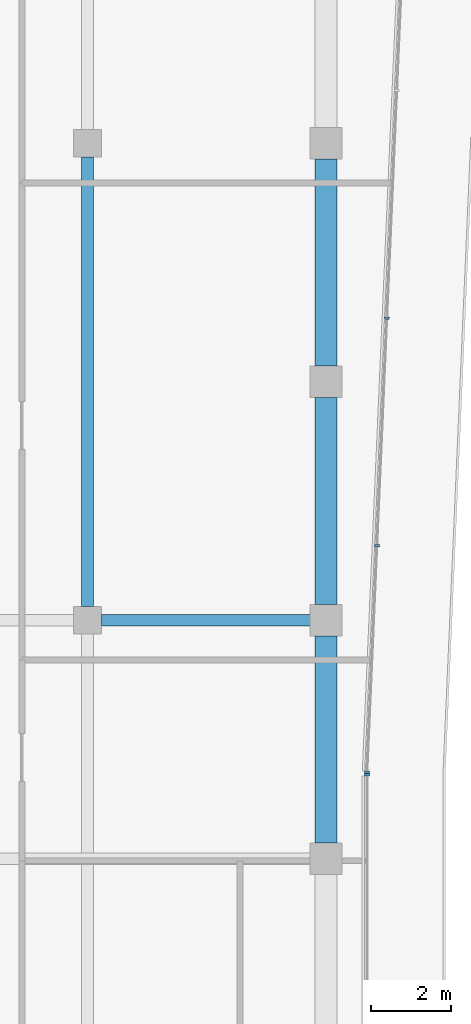
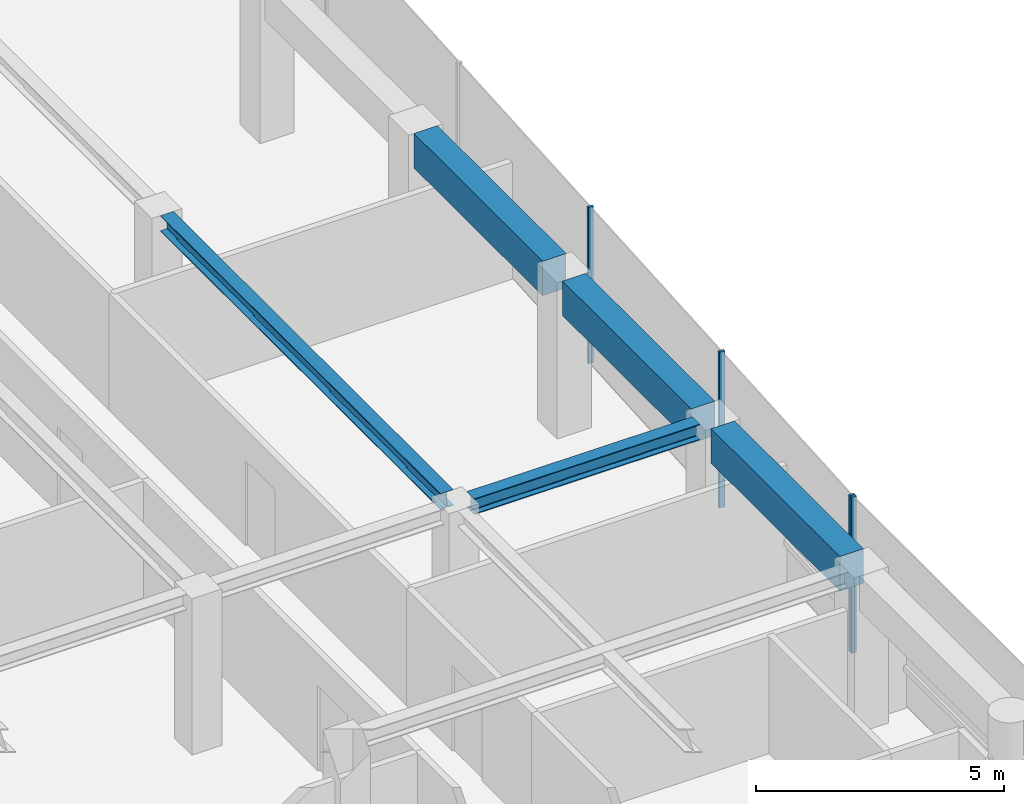
# One storey, part 8 of 20: 5 beams, 4 members, 2 elements without a shape of their own.
"""IFC4 building model written with IfcOpenShell, lengths in metres."""

from ifc_helpers import new_model, si_unit, direction, frame, origin, origin_2d, place, context, subcontext, project, spatial, rectangle, i_section, extrude, material, layer, layer_set, material_profile, profile_set, type_object, element, aggregate, save


model = new_model("IFC4")

# Units and contexts
model_context = context("Model", 3, precision=1e-05, world=origin(), true_north=direction((0.0, 1.0)))
body_context = subcontext(model_context, "Body", "Model", "MODEL_VIEW")
ifc_project = project(units=[si_unit("LENGTHUNIT", "METRE"), si_unit("AREAUNIT", "SQUARE_METRE"), si_unit("VOLUMEUNIT", "CUBIC_METRE"), si_unit("PLANEANGLEUNIT", "RADIAN"), si_unit("MASSUNIT", "GRAM", prefix="KILO")], contexts=[model_context])

# Site, building, storey
site_placement = place(None, origin())
site = spatial("IfcSite", under=ifc_project, at=site_placement, CompositionType="ELEMENT")
building_placement = place(site_placement, origin())
building = spatial("IfcBuilding", under=site, at=building_placement, Name="Welwitschia Terrace Campus", CompositionType="ELEMENT")
storey_placement = place(building_placement, frame((0.0, 0.0, 239.0)))
storey = spatial("IfcBuildingStorey", under=building, at=storey_placement, Name="L53", CompositionType="ELEMENT", Elevation=239.0)

# Beams
ifc_material_1 = material(Name="Steel S355", Category="steel")
ifc_material_profile_1 = material_profile(ifc_material_1, i_section(OverallWidth=0.300048828125, OverallDepth=0.389892578125, WebThickness=0.010986328125, FlangeThickness=0.01904296875, FilletRadius=0.027099609375, at=origin_2d()))
ifc_profile_set_1 = profile_set([ifc_material_profile_1], Name="Steel S355")
beam_type_1 = type_object("IfcBeamType", Name="Interior girder HE 400 A", PredefinedType="BEAM", material=ifc_profile_set_1)
beam_1_placement = place(storey_placement, frame((18.3505859375, 40.0, 3.655029296875), z_axis=(1.0, 0.0, 0.0), x_axis=(0.0, 1.0, 0.0)))
element("IfcBeam", 1, at=beam_1_placement, inside=storey, type_object=beam_type_1, Name="Girder GB5", PredefinedType="BEAM", context=body_context, shape_type="SweptSolid", body=[
    extrude(i_section(OverallWidth=0.300048828125, OverallDepth=0.389892578125, WebThickness=0.010986328125, FlangeThickness=0.01904296875, FilletRadius=0.027099609375, at=origin_2d()), origin(), (0.0, 0.0, 1.0), 5.259033203125),
])
beam_2_placement = place(storey_placement, frame((18.0, 40.3505859375, 3.655029296875), z_axis=(0.0, 1.0, 0.0), x_axis=(-1.0, 0.0, 0.0)))
element("IfcBeam", 2, at=beam_2_placement, inside=storey, type_object=beam_type_1, Name="Girder GB5", PredefinedType="BEAM", context=body_context, shape_type="SweptSolid", body=[
    extrude(i_section(OverallWidth=0.300048828125, OverallDepth=0.389892578125, WebThickness=0.010986328125, FlangeThickness=0.01904296875, FilletRadius=0.027099609375, at=origin_2d()), origin(), (0.0, 0.0, 1.0), 11.298828125),
])

# Curtain wall, member
ifc_material_2 = material(Name="Bronze anodised aluminium", Category="aluminium")
ifc_layer = layer(ifc_material_2, 0.1201171875)
ifc_layer_set = layer_set([ifc_layer], Name="Bronze anodised aluminium")
curtain_wall_type = type_object("IfcCurtainWallType", Name="Curtain wall CW2 tower 6000", PredefinedType="NOTDEFINED", material=ifc_layer_set)
curtain_wall_1_placement = place(storey_placement, origin())
curtain_wall_1 = element("IfcCurtainWall", 3, at=curtain_wall_1_placement, inside=storey, type_object=curtain_wall_type, Name="CW L53.6.0", PredefinedType="NOTDEFINED")
ifc_material_3 = material(Name="Bronze anodised aluminium", Category="aluminium")
ifc_material_profile_2 = material_profile(ifc_material_3, rectangle(XDim=0.1201171875, YDim=0.06005859375, at=origin_2d()))
ifc_profile_set_2 = profile_set([ifc_material_profile_2], Name="Bronze anodised aluminium")
member_type = type_object("IfcMemberType", Name="Mullion 60x120", PredefinedType="MULLION", material=ifc_profile_set_2)
member_1_placement = place(storey_placement, frame((25.030029296875, 36.116943359375, 0.0), z_axis=(0.0, 0.0, 1.0), x_axis=(-1.0, 0.0, 0.0)))
member_1 = element("IfcMember", 4, at=member_1_placement, type_object=member_type, Name="Mullion L53.6.0.1", PredefinedType="MULLION", context=body_context, shape_type="SweptSolid", body=[
    extrude(rectangle(XDim=0.1201171875, YDim=0.06005859375, at=origin_2d()), origin(), (0.0, 0.0, 1.0), 3.85009765625),
])
aggregate(curtain_wall_1, [member_1])

# Curtain wall, members
curtain_wall_2_placement = place(storey_placement, origin())
curtain_wall_2 = element("IfcCurtainWall", 5, at=curtain_wall_2_placement, inside=storey, type_object=curtain_wall_type, Name="CW L53.7.0", PredefinedType="NOTDEFINED")
member_2_placement = place(storey_placement, frame((25.03125, 36.1767578125, 0.0), z_axis=(0.0, 0.0, 1.0), x_axis=(-0.999048221582, 0.043619387365, 0.0)))
member_2 = element("IfcMember", 6, at=member_2_placement, type_object=member_type, Name="Mullion L53.7.0.0", PredefinedType="MULLION", context=body_context, shape_type="SweptSolid", body=[
    extrude(rectangle(XDim=0.1201171875, YDim=0.06005859375, at=origin_2d()), origin(), (0.0, 0.0, 1.0), 3.85009765625),
])
member_3_placement = place(storey_placement, frame((25.280029296875, 41.87353515625, 0.0), z_axis=(0.0, 0.0, 1.0), x_axis=(-0.999048221582, 0.043619387365, 0.0)))
member_3 = element("IfcMember", 7, at=member_3_placement, type_object=member_type, Name="Mullion L53.7.0.1", PredefinedType="MULLION", context=body_context, shape_type="SweptSolid", body=[
    extrude(rectangle(XDim=0.1201171875, YDim=0.06005859375, at=origin_2d()), origin(), (0.0, 0.0, 1.0), 3.85009765625),
])
member_4_placement = place(storey_placement, frame((25.530029296875, 47.600341796875, 0.0), z_axis=(0.0, 0.0, 1.0), x_axis=(-0.999048221582, 0.043619387365, 0.0)))
member_4 = element("IfcMember", 8, at=member_4_placement, type_object=member_type, Name="Mullion L53.7.0.2", PredefinedType="MULLION", context=body_context, shape_type="SweptSolid", body=[
    extrude(rectangle(XDim=0.1201171875, YDim=0.06005859375, at=origin_2d()), origin(), (0.0, 0.0, 1.0), 3.85009765625),
])
aggregate(curtain_wall_2, [member_2, member_3, member_4])

# Beams
ifc_material_4 = material(Name="Concrete C50/60", Category="concrete")
ifc_material_profile_3 = material_profile(ifc_material_4, rectangle(XDim=0.550048828125, YDim=0.85009765625, at=origin_2d()))
ifc_profile_set_3 = profile_set([ifc_material_profile_3], Name="Concrete C50/60")
beam_type_2 = type_object("IfcBeamType", Name="Ring spandrel 550x850", PredefinedType="SPANDREL", material=ifc_profile_set_3)
for number, where, z_axis, x_axis, name in (
    (9, (24.0, 34.400390625, 3.425048828125), (0.0, 1.0, 0.0), (-1.0, 0.0, 0.0), "Spandrel SP3"),
    (10, (24.0, 40.400390625, 3.425048828125), (0.0, 1.0, 0.0), (-1.0, 0.0, 0.0), "Spandrel SP3"),
    (11, (24.0, 46.400390625, 3.425048828125), (0.0, 1.0, 0.0), (-1.0, 0.0, 0.0), "Spandrel SP3"),
):
    element("IfcBeam", number, at=place(storey_placement, frame(where, z_axis=z_axis, x_axis=x_axis)), inside=storey, type_object=beam_type_2, Name=name, PredefinedType="SPANDREL", context=body_context, shape_type="SweptSolid", body=[
        extrude(rectangle(XDim=0.550048828125, YDim=0.85009765625, at=origin_2d()), origin(), (0.0, 0.0, 1.0), 5.19921875),
    ])

save(model, "model.ifc")
